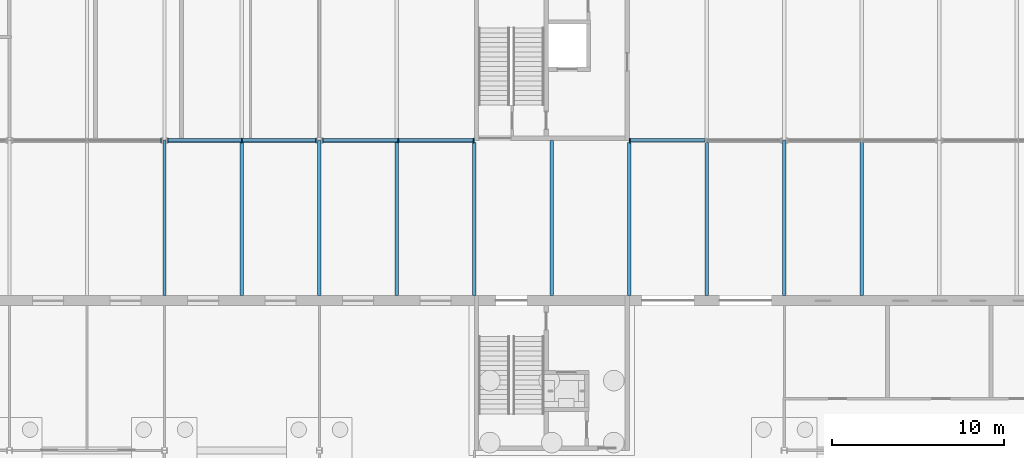
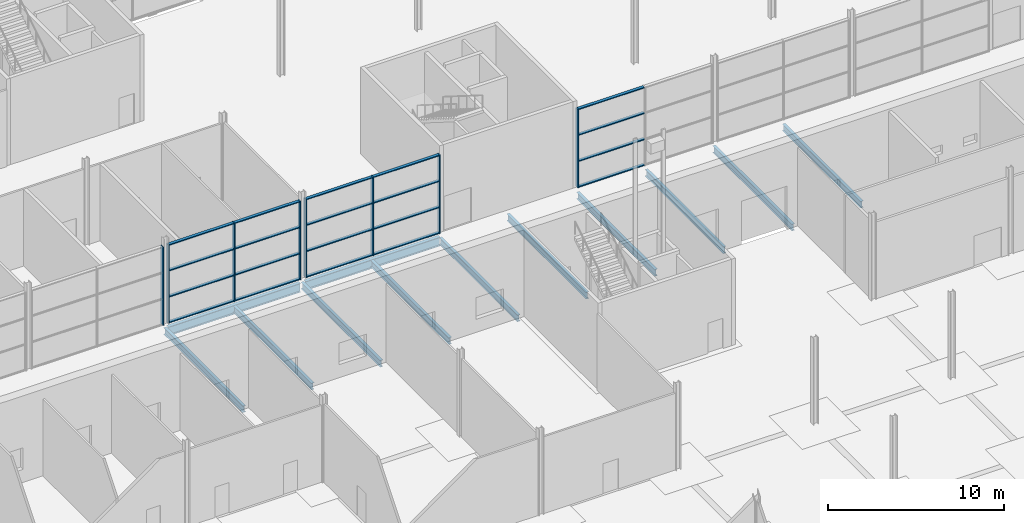
# One storey, part 44 of 97: 28 members, 12 beams, 4 elements without a shape of their own.
"""IFC4 building model written with IfcOpenShell, lengths in metres."""

from ifc_helpers import new_model, si_unit, direction, frame, origin, origin_2d, place, context, subcontext, project, spatial, rectangle, i_section, extrude, material, layer, layer_set, material_profile, profile_set, type_object, element, aggregate, save


model = new_model("IFC4")

# Units and contexts
model_context = context("Model", 3, precision=1e-05, world=origin(), true_north=direction((0.0, 1.0)))
body_context = subcontext(model_context, "Body", "Model", "MODEL_VIEW")
ifc_project = project(units=[si_unit("LENGTHUNIT", "METRE"), si_unit("AREAUNIT", "SQUARE_METRE"), si_unit("VOLUMEUNIT", "CUBIC_METRE"), si_unit("PLANEANGLEUNIT", "RADIAN"), si_unit("MASSUNIT", "GRAM", prefix="KILO")], contexts=[model_context])

# Site, building, storey
site_placement = place(None, origin())
site = spatial("IfcSite", under=ifc_project, at=site_placement, CompositionType="ELEMENT")
building_placement = place(site_placement, origin())
building = spatial("IfcBuilding", under=site, at=building_placement, Name="Corbel Yard City Hall", CompositionType="ELEMENT")
storey_placement = place(building_placement, origin())
storey = spatial("IfcBuildingStorey", under=building, at=storey_placement, Name="L00", CompositionType="ELEMENT", Elevation=0.0)

# Beams
ifc_material_1 = material(Name="Steel Grade 300 (300 MPa yield)", Category="steel")
ifc_material_profile_1 = material_profile(ifc_material_1, i_section(OverallWidth=0.19091796875, OverallDepth=0.4599609375, WebThickness=0.010009765625, FlangeThickness=0.01611328125, at=origin_2d()), Name="460UB82.1")
ifc_profile_set_1 = profile_set([ifc_material_profile_1], Name="Steel Grade 300 (300 MPa yield)")
beam_type_1 = type_object("IfcBeamType", Name="Beam 460UB82.1", PredefinedType="BEAM", material=ifc_profile_set_1)
for number, where, z_axis, x_axis, name in (
    (1, (63.0, 81.0, -0.47998046875), (0.0, 1.0, 0.0), (-1.0, 0.0, 0.0), "Beam 460UB82.1 SB2 L00deck"),
    (2, (72.0, 81.0, -0.47998046875), (0.0, 1.0, 0.0), (-1.0, 0.0, 0.0), "Beam 460UB82.1 SB2 L00deck"),
):
    element("IfcBeam", number, at=place(storey_placement, frame(where, z_axis=z_axis, x_axis=x_axis)), inside=storey, type_object=beam_type_1, Name=name, PredefinedType="BEAM", context=body_context, shape_type="SweptSolid", body=[
        extrude(i_section(OverallWidth=0.19091796875, OverallDepth=0.4599609375, WebThickness=0.010009765625, FlangeThickness=0.01611328125, at=origin_2d()), origin(), (0.0, 0.0, 1.0), 8.9921875),
    ])
for number, where, z_axis, x_axis, name in (
    (3, (81.0, 81.0, -0.47998046875), (0.0, 1.0, 0.0), (-1.0, 0.0, 0.0), "Beam 460UB82.1 SB2 L00deck"),
    (4, (90.0, 81.0, -0.47998046875), (0.0, 1.0, 0.0), (-1.0, 0.0, 0.0), "Beam 460UB82.1 SB2 L00deck"),
):
    element("IfcBeam", number, at=place(storey_placement, frame(where, z_axis=z_axis, x_axis=x_axis)), inside=storey, type_object=beam_type_1, Name=name, PredefinedType="BEAM", context=body_context, shape_type="SweptSolid", body=[
        extrude(i_section(OverallWidth=0.19091796875, OverallDepth=0.4599609375, WebThickness=0.010009765625, FlangeThickness=0.01611328125, at=origin_2d()), origin(), (0.0, 0.0, 1.0), 8.885498046875),
    ])
beam_1_placement = place(storey_placement, frame((99.0, 81.0, -0.47998046875), z_axis=(0.0, 1.0, 0.0), x_axis=(-1.0, 0.0, 0.0)))
element("IfcBeam", 5, at=beam_1_placement, inside=storey, type_object=beam_type_1, Name="Beam 460UB82.1 SB2 L00deck", PredefinedType="BEAM", context=body_context, shape_type="SweptSolid", body=[
    extrude(i_section(OverallWidth=0.19091796875, OverallDepth=0.4599609375, WebThickness=0.010009765625, FlangeThickness=0.01611328125, at=origin_2d()), origin(), (0.0, 0.0, 1.0), 8.9921875),
])
ifc_material_profile_2 = material_profile(ifc_material_1, i_section(OverallWidth=0.22900390625, OverallDepth=0.612060546875, WebThickness=0.011962890625, FlangeThickness=0.01953125, at=origin_2d()), Name="610UB125")
ifc_profile_set_2 = profile_set([ifc_material_profile_2], Name="Steel Grade 300 (300 MPa yield)")
beam_type_2 = type_object("IfcBeamType", Name="Girder 610UB125", PredefinedType="BEAM", material=ifc_profile_set_2)
beam_2_placement = place(storey_placement, frame((63.16357421875, 90.0, -0.555908203125), z_axis=(1.0, 0.0, 0.0), x_axis=(0.0, 1.0, 0.0)))
element("IfcBeam", 6, at=beam_2_placement, inside=storey, type_object=beam_type_2, Name="Girder 610UB125 GB1 L00deck", PredefinedType="BEAM", context=body_context, shape_type="SweptSolid", body=[
    extrude(i_section(OverallWidth=0.22900390625, OverallDepth=0.612060546875, WebThickness=0.011962890625, FlangeThickness=0.01953125, at=origin_2d()), origin(), (0.0, 0.0, 1.0), 8.6728515625),
])
beam_3_placement = place(storey_placement, frame((72.16357421875, 90.0, -0.555908203125), z_axis=(1.0, 0.0, 0.0), x_axis=(0.0, 1.0, 0.0)))
element("IfcBeam", 7, at=beam_3_placement, inside=storey, type_object=beam_type_2, Name="Girder 610UB125 GB1 L00deck", PredefinedType="BEAM", context=body_context, shape_type="SweptSolid", body=[
    extrude(i_section(OverallWidth=0.22900390625, OverallDepth=0.612060546875, WebThickness=0.011962890625, FlangeThickness=0.01953125, at=origin_2d()), origin(), (0.0, 0.0, 1.0), 8.83642578125),
])

# Curtain wall, member
ifc_material_2 = material(Name="Aluminium extrusion", Category="aluminium")
ifc_layer = layer(ifc_material_2, 0.25)
ifc_layer_set = layer_set([ifc_layer], Name="Aluminium extrusion")
curtain_wall_type = type_object("IfcCurtainWallType", Name="CW4", PredefinedType="USERDEFINED", material=ifc_layer_set)
curtain_wall_1_placement = place(storey_placement, origin())
curtain_wall_1 = element("IfcCurtainWall", 8, at=curtain_wall_1_placement, inside=storey, type_object=curtain_wall_type, Name="Curtain wall CW4 L00", ObjectType="CURTAIN WALL", PredefinedType="USERDEFINED")
ifc_material_profile_3 = material_profile(ifc_material_2, rectangle(XDim=0.25, YDim=0.06494140625, at=origin_2d()), Name="250x65")
ifc_profile_set_3 = profile_set([ifc_material_profile_3], Name="Aluminium extrusion")
member_type_1 = type_object("IfcMemberType", Name="ML4", PredefinedType="MULLION", material=ifc_profile_set_3)
member_1_placement = place(storey_placement, frame((62.81005859375, 90.0, 0.0), z_axis=(0.0, 0.0, 1.0), x_axis=(0.0, 1.0, 0.0)))
member_1 = element("IfcMember", 9, at=member_1_placement, type_object=member_type_1, Name="CW4 mullion 3", PredefinedType="MULLION", context=body_context, shape_type="SweptSolid", body=[
    extrude(rectangle(XDim=0.25, YDim=0.06494140625, at=origin_2d()), origin(), (0.0, 0.0, 1.0), 5.444091796875),
])
aggregate(curtain_wall_1, [member_1])

# Curtain wall, members
curtain_wall_2_placement = place(storey_placement, origin())
curtain_wall_2 = element("IfcCurtainWall", 10, at=curtain_wall_2_placement, inside=storey, type_object=curtain_wall_type, Name="Curtain wall CW4 L00", ObjectType="CURTAIN WALL", PredefinedType="USERDEFINED")
member_2_placement = place(storey_placement, frame((63.18994140625, 90.0, 0.0), z_axis=(0.0, 0.0, 1.0), x_axis=(0.0, 1.0, 0.0)))
member_2 = element("IfcMember", 11, at=member_2_placement, type_object=member_type_1, Name="CW4 mullion 1", PredefinedType="MULLION", context=body_context, shape_type="SweptSolid", body=[
    extrude(rectangle(XDim=0.25, YDim=0.06494140625, at=origin_2d()), origin(), (0.0, 0.0, 1.0), 5.444091796875),
])
member_3_placement = place(storey_placement, frame((67.5, 90.0, 0.0), z_axis=(0.0, 0.0, 1.0), x_axis=(0.0, 1.0, 0.0)))
member_3 = element("IfcMember", 12, at=member_3_placement, type_object=member_type_1, Name="CW4 mullion 2", PredefinedType="MULLION", context=body_context, shape_type="SweptSolid", body=[
    extrude(rectangle(XDim=0.25, YDim=0.06494140625, at=origin_2d()), origin(), (0.0, 0.0, 1.0), 5.444091796875),
])
member_4_placement = place(storey_placement, frame((71.81005859375, 90.0, 0.0), z_axis=(0.0, 0.0, 1.0), x_axis=(0.0, 1.0, 0.0)))
member_4 = element("IfcMember", 13, at=member_4_placement, type_object=member_type_1, Name="CW4 mullion 3", PredefinedType="MULLION", context=body_context, shape_type="SweptSolid", body=[
    extrude(rectangle(XDim=0.25, YDim=0.06494140625, at=origin_2d()), origin(), (0.0, 0.0, 1.0), 5.444091796875),
])

curtain_wall_3_placement = place(storey_placement, origin())
curtain_wall_3 = element("IfcCurtainWall", 14, at=curtain_wall_3_placement, inside=storey, type_object=curtain_wall_type, Name="Curtain wall CW4 L00", ObjectType="CURTAIN WALL", PredefinedType="USERDEFINED")
member_5_placement = place(storey_placement, frame((72.18994140625, 90.0, 0.0), z_axis=(0.0, 0.0, 1.0), x_axis=(0.0, 1.0, 0.0)))
member_5 = element("IfcMember", 15, at=member_5_placement, type_object=member_type_1, Name="CW4 mullion 1", PredefinedType="MULLION", context=body_context, shape_type="SweptSolid", body=[
    extrude(rectangle(XDim=0.25, YDim=0.06494140625, at=origin_2d()), origin(), (0.0, 0.0, 1.0), 5.444091796875),
])
member_6_placement = place(storey_placement, frame((76.578857421875, 90.0, 0.0), z_axis=(0.0, 0.0, 1.0), x_axis=(0.0, 1.0, 0.0)))
member_6 = element("IfcMember", 16, at=member_6_placement, type_object=member_type_1, Name="CW4 mullion 2", PredefinedType="MULLION", context=body_context, shape_type="SweptSolid", body=[
    extrude(rectangle(XDim=0.25, YDim=0.06494140625, at=origin_2d()), origin(), (0.0, 0.0, 1.0), 5.444091796875),
])
member_7_placement = place(storey_placement, frame((80.967529296875, 90.0, 0.0), z_axis=(0.0, 0.0, 1.0), x_axis=(0.0, 1.0, 0.0)))
member_7 = element("IfcMember", 17, at=member_7_placement, type_object=member_type_1, Name="CW4 mullion 3", PredefinedType="MULLION", context=body_context, shape_type="SweptSolid", body=[
    extrude(rectangle(XDim=0.25, YDim=0.06494140625, at=origin_2d()), origin(), (0.0, 0.0, 1.0), 5.444091796875),
])

# Curtain wall, member
curtain_wall_4_placement = place(storey_placement, origin())
curtain_wall_4 = element("IfcCurtainWall", 18, at=curtain_wall_4_placement, inside=storey, type_object=curtain_wall_type, Name="Curtain wall CW4 L00", ObjectType="CURTAIN WALL", PredefinedType="USERDEFINED")
member_8_placement = place(storey_placement, frame((90.032470703125, 90.0, 0.0), z_axis=(0.0, 0.0, 1.0), x_axis=(0.0, 1.0, 0.0)))
member_8 = element("IfcMember", 19, at=member_8_placement, type_object=member_type_1, Name="CW4 mullion 1", PredefinedType="MULLION", context=body_context, shape_type="SweptSolid", body=[
    extrude(rectangle(XDim=0.25, YDim=0.06494140625, at=origin_2d()), origin(), (0.0, 0.0, 1.0), 5.444091796875),
])

# Beams
ifc_material_profile_4 = material_profile(ifc_material_1, i_section(OverallWidth=0.19091796875, OverallDepth=0.4599609375, WebThickness=0.010009765625, FlangeThickness=0.01611328125, at=origin_2d()), Name="460UB82.1")
ifc_profile_set_4 = profile_set([ifc_material_profile_4], Name="Steel Grade 300 (300 MPa yield)")
beam_type_3 = type_object("IfcBeamType", Name="Secondary beam 460UB82.1", PredefinedType="JOIST", material=ifc_profile_set_4)
for number, where, z_axis, x_axis, name in (
    (20, (67.5, 81.0, -0.47998046875), (0.0, 1.0, 0.0), (-1.0, 0.0, 0.0), "Secondary beam 460UB82.1 SB1 L00deck"),
    (21, (76.5, 81.0, -0.47998046875), (0.0, 1.0, 0.0), (-1.0, 0.0, 0.0), "Secondary beam 460UB82.1 SB1 L00deck"),
):
    element("IfcBeam", number, at=place(storey_placement, frame(where, z_axis=z_axis, x_axis=x_axis)), inside=storey, type_object=beam_type_3, Name=name, PredefinedType="JOIST", context=body_context, shape_type="SweptSolid", body=[
        extrude(i_section(OverallWidth=0.19091796875, OverallDepth=0.4599609375, WebThickness=0.010009765625, FlangeThickness=0.01611328125, at=origin_2d()), origin(), (0.0, 0.0, 1.0), 8.885498046875),
    ])
beam_4_placement = place(storey_placement, frame((85.5, 81.0, -0.47998046875), z_axis=(0.0, 1.0, 0.0), x_axis=(-1.0, 0.0, 0.0)))
element("IfcBeam", 22, at=beam_4_placement, inside=storey, type_object=beam_type_3, Name="Secondary beam 460UB82.1 SB1 L00deck", PredefinedType="JOIST", context=body_context, shape_type="SweptSolid", body=[
    extrude(i_section(OverallWidth=0.19091796875, OverallDepth=0.4599609375, WebThickness=0.010009765625, FlangeThickness=0.01611328125, at=origin_2d()), origin(), (0.0, 0.0, 1.0), 9.0),
])
for number, where, z_axis, x_axis, name in (
    (23, (94.5, 81.0, -0.47998046875), (0.0, 1.0, 0.0), (-1.0, 0.0, 0.0), "Secondary beam 460UB82.1 SB1 L00deck"),
    (24, (103.5, 81.0, -0.47998046875), (0.0, 1.0, 0.0), (-1.0, 0.0, 0.0), "Secondary beam 460UB82.1 SB1 L00deck"),
):
    element("IfcBeam", number, at=place(storey_placement, frame(where, z_axis=z_axis, x_axis=x_axis)), inside=storey, type_object=beam_type_3, Name=name, PredefinedType="JOIST", context=body_context, shape_type="SweptSolid", body=[
        extrude(i_section(OverallWidth=0.19091796875, OverallDepth=0.4599609375, WebThickness=0.010009765625, FlangeThickness=0.01611328125, at=origin_2d()), origin(), (0.0, 0.0, 1.0), 8.885498046875),
    ])

# Member
ifc_material_profile_5 = material_profile(ifc_material_2, rectangle(XDim=0.199951171875, YDim=0.06494140625, at=origin_2d()), Name="200x65")
ifc_profile_set_5 = profile_set([ifc_material_profile_5], Name="Aluminium extrusion")
member_type_2 = type_object("IfcMemberType", Name="TR4", PredefinedType="USERDEFINED", material=ifc_profile_set_5)
member_9_placement = place(storey_placement, frame((63.222412109375, 90.0, 0.032470703125), z_axis=(1.0, 0.0, 0.0), x_axis=(0.0, 1.0, 0.0)))
member_9 = element("IfcMember", 25, at=member_9_placement, type_object=member_type_2, Name="CW4 transom 1.1", ObjectType="TRANSOM", PredefinedType="USERDEFINED", context=body_context, shape_type="SweptSolid", body=[
    extrude(rectangle(XDim=0.199951171875, YDim=0.06494140625, at=origin_2d()), origin(), (0.0, 0.0, 1.0), 4.2451171875),
])

member_10_placement = place(storey_placement, frame((63.222412109375, 90.0, 1.814697265625), z_axis=(1.0, 0.0, 0.0), x_axis=(0.0, 1.0, 0.0)))
member_10 = element("IfcMember", 26, at=member_10_placement, type_object=member_type_2, Name="CW4 transom 1.2", ObjectType="TRANSOM", PredefinedType="USERDEFINED", context=body_context, shape_type="SweptSolid", body=[
    extrude(rectangle(XDim=0.199951171875, YDim=0.06494140625, at=origin_2d()), origin(), (0.0, 0.0, 1.0), 4.2451171875),
])

member_11_placement = place(storey_placement, frame((63.222412109375, 90.0, 3.62939453125), z_axis=(1.0, 0.0, 0.0), x_axis=(0.0, 1.0, 0.0)))
member_11 = element("IfcMember", 27, at=member_11_placement, type_object=member_type_2, Name="CW4 transom 1.3", ObjectType="TRANSOM", PredefinedType="USERDEFINED", context=body_context, shape_type="SweptSolid", body=[
    extrude(rectangle(XDim=0.199951171875, YDim=0.06494140625, at=origin_2d()), origin(), (0.0, 0.0, 1.0), 4.2451171875),
])

member_12_placement = place(storey_placement, frame((63.222412109375, 90.0, 5.41162109375), z_axis=(1.0, 0.0, 0.0), x_axis=(0.0, 1.0, 0.0)))
member_12 = element("IfcMember", 28, at=member_12_placement, type_object=member_type_2, Name="CW4 transom 1.4", ObjectType="TRANSOM", PredefinedType="USERDEFINED", context=body_context, shape_type="SweptSolid", body=[
    extrude(rectangle(XDim=0.199951171875, YDim=0.06494140625, at=origin_2d()), origin(), (0.0, 0.0, 1.0), 4.2451171875),
])

member_13_placement = place(storey_placement, frame((67.532470703125, 90.0, 0.032470703125), z_axis=(1.0, 0.0, 0.0), x_axis=(0.0, 1.0, 0.0)))
member_13 = element("IfcMember", 29, at=member_13_placement, type_object=member_type_2, Name="CW4 transom 2.1", ObjectType="TRANSOM", PredefinedType="USERDEFINED", context=body_context, shape_type="SweptSolid", body=[
    extrude(rectangle(XDim=0.199951171875, YDim=0.06494140625, at=origin_2d()), origin(), (0.0, 0.0, 1.0), 4.2451171875),
])

member_14_placement = place(storey_placement, frame((67.532470703125, 90.0, 1.814697265625), z_axis=(1.0, 0.0, 0.0), x_axis=(0.0, 1.0, 0.0)))
member_14 = element("IfcMember", 30, at=member_14_placement, type_object=member_type_2, Name="CW4 transom 2.2", ObjectType="TRANSOM", PredefinedType="USERDEFINED", context=body_context, shape_type="SweptSolid", body=[
    extrude(rectangle(XDim=0.199951171875, YDim=0.06494140625, at=origin_2d()), origin(), (0.0, 0.0, 1.0), 4.2451171875),
])

member_15_placement = place(storey_placement, frame((67.532470703125, 90.0, 3.62939453125), z_axis=(1.0, 0.0, 0.0), x_axis=(0.0, 1.0, 0.0)))
member_15 = element("IfcMember", 31, at=member_15_placement, type_object=member_type_2, Name="CW4 transom 2.3", ObjectType="TRANSOM", PredefinedType="USERDEFINED", context=body_context, shape_type="SweptSolid", body=[
    extrude(rectangle(XDim=0.199951171875, YDim=0.06494140625, at=origin_2d()), origin(), (0.0, 0.0, 1.0), 4.2451171875),
])

member_16_placement = place(storey_placement, frame((67.532470703125, 90.0, 5.41162109375), z_axis=(1.0, 0.0, 0.0), x_axis=(0.0, 1.0, 0.0)))
member_16 = element("IfcMember", 32, at=member_16_placement, type_object=member_type_2, Name="CW4 transom 2.4", ObjectType="TRANSOM", PredefinedType="USERDEFINED", context=body_context, shape_type="SweptSolid", body=[
    extrude(rectangle(XDim=0.199951171875, YDim=0.06494140625, at=origin_2d()), origin(), (0.0, 0.0, 1.0), 4.2451171875),
])

aggregate(curtain_wall_2, [member_2, member_3, member_4, member_9, member_10, member_11, member_12, member_13, member_14, member_15, member_16])

member_17_placement = place(storey_placement, frame((72.222412109375, 90.0, 0.032470703125), z_axis=(1.0, 0.0, 0.0), x_axis=(0.0, 1.0, 0.0)))
member_17 = element("IfcMember", 33, at=member_17_placement, type_object=member_type_2, Name="CW4 transom 1.1", ObjectType="TRANSOM", PredefinedType="USERDEFINED", context=body_context, shape_type="SweptSolid", body=[
    extrude(rectangle(XDim=0.199951171875, YDim=0.06494140625, at=origin_2d()), origin(), (0.0, 0.0, 1.0), 4.32373046875),
])

member_18_placement = place(storey_placement, frame((72.222412109375, 90.0, 1.814697265625), z_axis=(1.0, 0.0, 0.0), x_axis=(0.0, 1.0, 0.0)))
member_18 = element("IfcMember", 34, at=member_18_placement, type_object=member_type_2, Name="CW4 transom 1.2", ObjectType="TRANSOM", PredefinedType="USERDEFINED", context=body_context, shape_type="SweptSolid", body=[
    extrude(rectangle(XDim=0.199951171875, YDim=0.06494140625, at=origin_2d()), origin(), (0.0, 0.0, 1.0), 4.32373046875),
])

member_19_placement = place(storey_placement, frame((72.222412109375, 90.0, 3.62939453125), z_axis=(1.0, 0.0, 0.0), x_axis=(0.0, 1.0, 0.0)))
member_19 = element("IfcMember", 35, at=member_19_placement, type_object=member_type_2, Name="CW4 transom 1.3", ObjectType="TRANSOM", PredefinedType="USERDEFINED", context=body_context, shape_type="SweptSolid", body=[
    extrude(rectangle(XDim=0.199951171875, YDim=0.06494140625, at=origin_2d()), origin(), (0.0, 0.0, 1.0), 4.32373046875),
])

member_20_placement = place(storey_placement, frame((72.222412109375, 90.0, 5.41162109375), z_axis=(1.0, 0.0, 0.0), x_axis=(0.0, 1.0, 0.0)))
member_20 = element("IfcMember", 36, at=member_20_placement, type_object=member_type_2, Name="CW4 transom 1.4", ObjectType="TRANSOM", PredefinedType="USERDEFINED", context=body_context, shape_type="SweptSolid", body=[
    extrude(rectangle(XDim=0.199951171875, YDim=0.06494140625, at=origin_2d()), origin(), (0.0, 0.0, 1.0), 4.32373046875),
])

member_21_placement = place(storey_placement, frame((76.611328125, 90.0, 0.032470703125), z_axis=(1.0, 0.0, 0.0), x_axis=(0.0, 1.0, 0.0)))
member_21 = element("IfcMember", 37, at=member_21_placement, type_object=member_type_2, Name="CW4 transom 2.1", ObjectType="TRANSOM", PredefinedType="USERDEFINED", context=body_context, shape_type="SweptSolid", body=[
    extrude(rectangle(XDim=0.199951171875, YDim=0.06494140625, at=origin_2d()), origin(), (0.0, 0.0, 1.0), 4.32373046875),
])

member_22_placement = place(storey_placement, frame((76.611328125, 90.0, 1.814697265625), z_axis=(1.0, 0.0, 0.0), x_axis=(0.0, 1.0, 0.0)))
member_22 = element("IfcMember", 38, at=member_22_placement, type_object=member_type_2, Name="CW4 transom 2.2", ObjectType="TRANSOM", PredefinedType="USERDEFINED", context=body_context, shape_type="SweptSolid", body=[
    extrude(rectangle(XDim=0.199951171875, YDim=0.06494140625, at=origin_2d()), origin(), (0.0, 0.0, 1.0), 4.32373046875),
])

member_23_placement = place(storey_placement, frame((76.611328125, 90.0, 3.62939453125), z_axis=(1.0, 0.0, 0.0), x_axis=(0.0, 1.0, 0.0)))
member_23 = element("IfcMember", 39, at=member_23_placement, type_object=member_type_2, Name="CW4 transom 2.3", ObjectType="TRANSOM", PredefinedType="USERDEFINED", context=body_context, shape_type="SweptSolid", body=[
    extrude(rectangle(XDim=0.199951171875, YDim=0.06494140625, at=origin_2d()), origin(), (0.0, 0.0, 1.0), 4.32373046875),
])

member_24_placement = place(storey_placement, frame((76.611328125, 90.0, 5.41162109375), z_axis=(1.0, 0.0, 0.0), x_axis=(0.0, 1.0, 0.0)))
member_24 = element("IfcMember", 40, at=member_24_placement, type_object=member_type_2, Name="CW4 transom 2.4", ObjectType="TRANSOM", PredefinedType="USERDEFINED", context=body_context, shape_type="SweptSolid", body=[
    extrude(rectangle(XDim=0.199951171875, YDim=0.06494140625, at=origin_2d()), origin(), (0.0, 0.0, 1.0), 4.32373046875),
])

aggregate(curtain_wall_3, [member_5, member_6, member_7, member_17, member_18, member_19, member_20, member_21, member_22, member_23, member_24])

member_25_placement = place(storey_placement, frame((90.06494140625, 90.0, 0.032470703125), z_axis=(1.0, 0.0, 0.0), x_axis=(0.0, 1.0, 0.0)))
member_25 = element("IfcMember", 41, at=member_25_placement, type_object=member_type_2, Name="CW4 transom 1.1", ObjectType="TRANSOM", PredefinedType="USERDEFINED", context=body_context, shape_type="SweptSolid", body=[
    extrude(rectangle(XDim=0.199951171875, YDim=0.06494140625, at=origin_2d()), origin(), (0.0, 0.0, 1.0), 4.32373046875),
])

member_26_placement = place(storey_placement, frame((90.06494140625, 90.0, 1.814697265625), z_axis=(1.0, 0.0, 0.0), x_axis=(0.0, 1.0, 0.0)))
member_26 = element("IfcMember", 42, at=member_26_placement, type_object=member_type_2, Name="CW4 transom 1.2", ObjectType="TRANSOM", PredefinedType="USERDEFINED", context=body_context, shape_type="SweptSolid", body=[
    extrude(rectangle(XDim=0.199951171875, YDim=0.06494140625, at=origin_2d()), origin(), (0.0, 0.0, 1.0), 4.32373046875),
])

member_27_placement = place(storey_placement, frame((90.06494140625, 90.0, 3.62939453125), z_axis=(1.0, 0.0, 0.0), x_axis=(0.0, 1.0, 0.0)))
member_27 = element("IfcMember", 43, at=member_27_placement, type_object=member_type_2, Name="CW4 transom 1.3", ObjectType="TRANSOM", PredefinedType="USERDEFINED", context=body_context, shape_type="SweptSolid", body=[
    extrude(rectangle(XDim=0.199951171875, YDim=0.06494140625, at=origin_2d()), origin(), (0.0, 0.0, 1.0), 4.32373046875),
])

member_28_placement = place(storey_placement, frame((90.06494140625, 90.0, 5.41162109375), z_axis=(1.0, 0.0, 0.0), x_axis=(0.0, 1.0, 0.0)))
member_28 = element("IfcMember", 44, at=member_28_placement, type_object=member_type_2, Name="CW4 transom 1.4", ObjectType="TRANSOM", PredefinedType="USERDEFINED", context=body_context, shape_type="SweptSolid", body=[
    extrude(rectangle(XDim=0.199951171875, YDim=0.06494140625, at=origin_2d()), origin(), (0.0, 0.0, 1.0), 4.32373046875),
])

aggregate(curtain_wall_4, [member_8, member_25, member_26, member_27, member_28])

save(model, "model.ifc")
